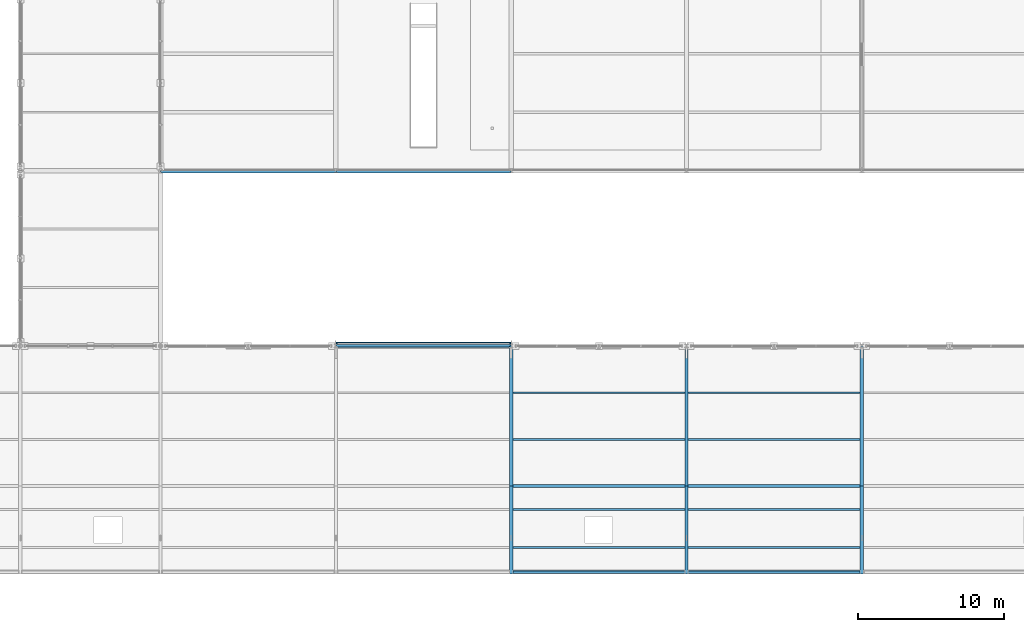
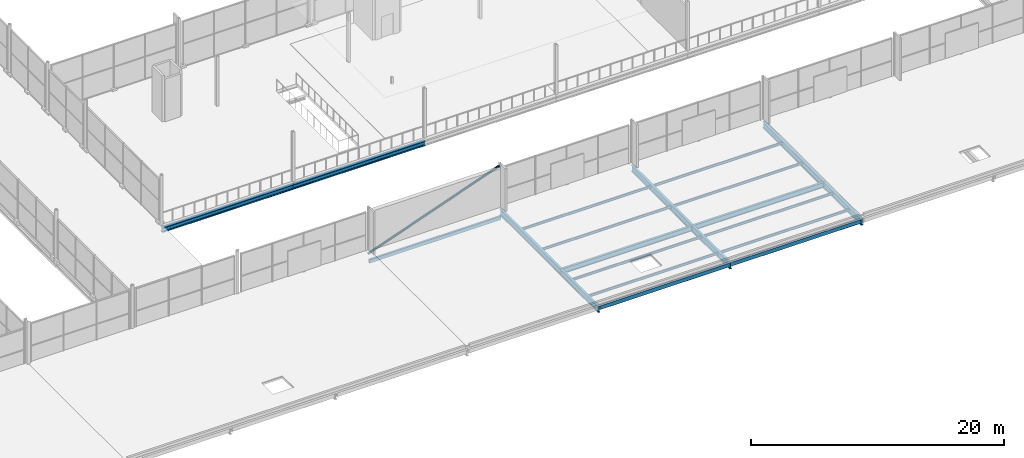
# One storey, part 49 of 159: 21 beams, 1 member.
"""IFC4 building model written with IfcOpenShell, lengths in metres."""

from ifc_helpers import new_model, si_unit, direction, frame, origin, origin_2d, place, context, subcontext, project, spatial, hollow_rectangle, hollow_circle, i_section, extrude, material, material_profile, profile_set, type_object, element, save


model = new_model("IFC4")

# Units and contexts
model_context = context("Model", 3, precision=1e-05, world=origin(), true_north=direction((0.0, 1.0)))
body_context = subcontext(model_context, "Body", "Model", "MODEL_VIEW")
ifc_project = project(units=[si_unit("LENGTHUNIT", "METRE"), si_unit("AREAUNIT", "SQUARE_METRE"), si_unit("VOLUMEUNIT", "CUBIC_METRE"), si_unit("PLANEANGLEUNIT", "RADIAN"), si_unit("MASSUNIT", "GRAM", prefix="KILO")], contexts=[model_context])

# Site, building, storey
site_placement = place(None, origin())
site = spatial("IfcSite", under=ifc_project, at=site_placement, CompositionType="ELEMENT")
building_placement = place(site_placement, origin())
building = spatial("IfcBuilding", under=site, at=building_placement, Name="Merenkruunu Market Hall", CompositionType="ELEMENT")
storey_placement = place(building_placement, frame((0.0, 0.0, 5.39990234375)))
storey = spatial("IfcBuildingStorey", under=building, at=storey_placement, Name="L01", CompositionType="ELEMENT", Elevation=5.39990234375)

# Member
ifc_material_1 = material(Name="Steel S355ML", Category="steel")
ifc_material_profile_1 = material_profile(ifc_material_1, hollow_circle(Radius=0.109619140625, WallThickness=0.010009765625, at=origin_2d()), Name="CHS 219.1x10")
ifc_profile_set_1 = profile_set([ifc_material_profile_1], Name="Steel S355ML")
member_type = type_object("IfcMemberType", Name="Diagonal Sway Brace BR03", PredefinedType="BRACE", material=ifc_profile_set_1)
member_placement = place(storey_placement, frame((88.800048828125, 15.760009765625, 0.150146484375), z_axis=(0.941385198431, 0.0, 0.337333526611), x_axis=(0.0, 1.0, 0.0)))
element("IfcMember", 1, at=member_placement, inside=storey, type_object=member_type, Name="MEM-CBF08", PredefinedType="BRACE", context=body_context, shape_type="SweptSolid", body=[
    extrude(hollow_circle(Radius=0.109619140625, WallThickness=0.010009765625, at=origin_2d()), origin(), (0.0, 0.0, 1.0), 12.7470703125),
])

# Beams
ifc_material_profile_2 = material_profile(ifc_material_1, hollow_rectangle(XDim=0.199951171875, YDim=0.39990234375, WallThickness=0.01611328125, InnerFilletRadius=0.01611328125, OuterFilletRadius=0.031982421875, at=origin_2d()), Name="RHS 400x200x16")
ifc_profile_set_2 = profile_set([ifc_material_profile_2], Name="Steel S355ML")
beam_type_1 = type_object("IfcBeamType", Name="Perimeter Spandrel Beam SP01", PredefinedType="SPANDREL", material=ifc_profile_set_2)
for number, where, z_axis, x_axis, name in (
    (2, (100.9130859375, 0.1201171875, 0.239990234375), (1.0, 0.0, 0.0), (0.0, 1.0, 0.0), "BM-L01-SP01-1155"),
    (3, (112.9130859375, 0.1201171875, 0.239990234375), (1.0, 0.0, 0.0), (0.0, 1.0, 0.0), "BM-L01-SP01-1161"),
):
    element("IfcBeam", number, at=place(storey_placement, frame(where, z_axis=z_axis, x_axis=x_axis)), inside=storey, type_object=beam_type_1, Name=name, PredefinedType="SPANDREL", context=body_context, shape_type="SweptSolid", body=[
        extrude(hollow_rectangle(XDim=0.199951171875, YDim=0.39990234375, WallThickness=0.01611328125, InnerFilletRadius=0.01611328125, OuterFilletRadius=0.031982421875, at=origin_2d()), origin(), (0.0, 0.0, 1.0), 11.77392578125),
    ])
ifc_material_2 = material(Name="Steel S355J2", Category="steel")
ifc_material_profile_3 = material_profile(ifc_material_2, hollow_rectangle(XDim=0.199951171875, YDim=0.35009765625, WallThickness=0.012451171875, InnerFilletRadius=0.012451171875, OuterFilletRadius=0.02490234375, at=origin_2d()), Name="RHS 350x200x12.5")
ifc_profile_set_3 = profile_set([ifc_material_profile_3], Name="Steel S355J2")
beam_type_2 = type_object("IfcBeamType", Name="Perimeter Spandrel Beam SP02", PredefinedType="SPANDREL", material=ifc_profile_set_3)
beam_1_placement = place(storey_placement, frame((88.800048828125, 15.60009765625, -0.454833984375), z_axis=(1.0, 0.0, 0.0), x_axis=(0.0, 1.0, 0.0)))
element("IfcBeam", 4, at=beam_1_placement, inside=storey, type_object=beam_type_2, Name="BM-L01-SP02-1185", PredefinedType="SPANDREL", context=body_context, shape_type="SweptSolid", body=[
    extrude(hollow_rectangle(XDim=0.199951171875, YDim=0.35009765625, WallThickness=0.012451171875, InnerFilletRadius=0.012451171875, OuterFilletRadius=0.02490234375, at=origin_2d()), origin(), (0.0, 0.0, 1.0), 12.0),
])
ifc_material_profile_4 = material_profile(ifc_material_2, i_section(OverallWidth=0.300048828125, OverallDepth=0.449951171875, WebThickness=0.013916015625, FlangeThickness=0.02587890625, FilletRadius=0.027099609375, at=origin_2d()), Name="HEB 450")
ifc_profile_set_4 = profile_set([ifc_material_profile_4], Name="Steel S355J2")
beam_type_3 = type_object("IfcBeamType", Name="Primary Floor Girder B03", PredefinedType="BEAM", material=ifc_profile_set_4)
for number, where, z_axis, x_axis, name in (
    (5, (76.800048828125, 27.60009765625, -0.5048828125), (1.0, 0.0, 0.0), (0.0, 1.0, 0.0), "BM-L01-B03-0484"),
    (6, (88.800048828125, 27.60009765625, -0.5048828125), (1.0, 0.0, 0.0), (0.0, 1.0, 0.0), "BM-L01-B03-0485"),
):
    element("IfcBeam", number, at=place(storey_placement, frame(where, z_axis=z_axis, x_axis=x_axis)), inside=storey, type_object=beam_type_3, Name=name, PredefinedType="BEAM", context=body_context, shape_type="SweptSolid", body=[
        extrude(i_section(OverallWidth=0.300048828125, OverallDepth=0.449951171875, WebThickness=0.013916015625, FlangeThickness=0.02587890625, FilletRadius=0.027099609375, at=origin_2d()), origin(), (0.0, 0.0, 1.0), 12.0),
    ])
ifc_material_profile_5 = material_profile(ifc_material_1, i_section(OverallWidth=0.219970703125, OverallDepth=0.60009765625, WebThickness=0.011962890625, FlangeThickness=0.01904296875, FilletRadius=0.02392578125, at=origin_2d()), Name="IPE 600")
ifc_profile_set_5 = profile_set([ifc_material_profile_5], Name="Steel S355ML")
beam_type_4 = type_object("IfcBeamType", Name="Primary Floor Girder B10", PredefinedType="BEAM", material=ifc_profile_set_5)
beam_2_placement = place(storey_placement, frame((100.800048828125, 15.60009765625, 0.14013671875), z_axis=(0.0, -1.0, 0.0), x_axis=(1.0, 0.0, 0.0)))
element("IfcBeam", 7, at=beam_2_placement, inside=storey, type_object=beam_type_4, Name="BM-L01-B10-1084", PredefinedType="BEAM", context=body_context, shape_type="SweptSolid", body=[
    extrude(i_section(OverallWidth=0.219970703125, OverallDepth=0.60009765625, WebThickness=0.011962890625, FlangeThickness=0.01904296875, FilletRadius=0.02392578125, at=origin_2d()), origin(), (0.0, 0.0, 1.0), 9.60009765625),
])
beam_3_placement = place(storey_placement, frame((100.800048828125, 6.0, 0.14013671875), z_axis=(0.0, -1.0, 0.0), x_axis=(1.0, 0.0, 0.0)))
element("IfcBeam", 8, at=beam_3_placement, inside=storey, type_object=beam_type_4, Name="BM-L01-B10-1085", PredefinedType="BEAM", context=body_context, shape_type="SweptSolid", body=[
    extrude(i_section(OverallWidth=0.219970703125, OverallDepth=0.60009765625, WebThickness=0.011962890625, FlangeThickness=0.01904296875, FilletRadius=0.02392578125, at=origin_2d()), origin(), (0.0, 0.0, 1.0), 6.0),
])
beam_4_placement = place(storey_placement, frame((112.800048828125, 15.60009765625, 0.14013671875), z_axis=(0.0, -1.0, 0.0), x_axis=(1.0, 0.0, 0.0)))
element("IfcBeam", 9, at=beam_4_placement, inside=storey, type_object=beam_type_4, Name="BM-L01-B10-1086", PredefinedType="BEAM", context=body_context, shape_type="SweptSolid", body=[
    extrude(i_section(OverallWidth=0.219970703125, OverallDepth=0.60009765625, WebThickness=0.011962890625, FlangeThickness=0.01904296875, FilletRadius=0.02392578125, at=origin_2d()), origin(), (0.0, 0.0, 1.0), 9.60009765625),
])
beam_5_placement = place(storey_placement, frame((112.800048828125, 6.0, 0.14013671875), z_axis=(0.0, -1.0, 0.0), x_axis=(1.0, 0.0, 0.0)))
element("IfcBeam", 10, at=beam_5_placement, inside=storey, type_object=beam_type_4, Name="BM-L01-B10-1087", PredefinedType="BEAM", context=body_context, shape_type="SweptSolid", body=[
    extrude(i_section(OverallWidth=0.219970703125, OverallDepth=0.60009765625, WebThickness=0.011962890625, FlangeThickness=0.01904296875, FilletRadius=0.02392578125, at=origin_2d()), origin(), (0.0, 0.0, 1.0), 6.0),
])
beam_6_placement = place(storey_placement, frame((124.800048828125, 15.60009765625, 0.14013671875), z_axis=(0.0, -1.0, 0.0), x_axis=(1.0, 0.0, 0.0)))
element("IfcBeam", 11, at=beam_6_placement, inside=storey, type_object=beam_type_4, Name="BM-L01-B10-1088", PredefinedType="BEAM", context=body_context, shape_type="SweptSolid", body=[
    extrude(i_section(OverallWidth=0.219970703125, OverallDepth=0.60009765625, WebThickness=0.011962890625, FlangeThickness=0.01904296875, FilletRadius=0.02392578125, at=origin_2d()), origin(), (0.0, 0.0, 1.0), 9.60009765625),
])
beam_7_placement = place(storey_placement, frame((124.800048828125, 6.0, 0.14013671875), z_axis=(0.0, -1.0, 0.0), x_axis=(1.0, 0.0, 0.0)))
element("IfcBeam", 12, at=beam_7_placement, inside=storey, type_object=beam_type_4, Name="BM-L01-B10-1089", PredefinedType="BEAM", context=body_context, shape_type="SweptSolid", body=[
    extrude(i_section(OverallWidth=0.219970703125, OverallDepth=0.60009765625, WebThickness=0.011962890625, FlangeThickness=0.01904296875, FilletRadius=0.02392578125, at=origin_2d()), origin(), (0.0, 0.0, 1.0), 6.0),
])
ifc_material_profile_6 = material_profile(ifc_material_2, i_section(OverallWidth=0.199951171875, OverallDepth=0.5, WebThickness=0.01025390625, FlangeThickness=0.01611328125, FilletRadius=0.02099609375, at=origin_2d()), Name="IPE 500")
ifc_profile_set_6 = profile_set([ifc_material_profile_6], Name="Steel S355J2")
beam_type_5 = type_object("IfcBeamType", Name="Primary Floor Girder B11", PredefinedType="BEAM", material=ifc_profile_set_6)
for number, where, z_axis, x_axis, name in (
    (13, (100.9130859375, 6.0, 0.190185546875), (1.0, 0.0, 0.0), (0.0, 1.0, 0.0), "BM-L01-B11-1154"),
    (14, (112.9130859375, 6.0, 0.190185546875), (1.0, 0.0, 0.0), (0.0, 1.0, 0.0), "BM-L01-B11-1160"),
):
    element("IfcBeam", number, at=place(storey_placement, frame(where, z_axis=z_axis, x_axis=x_axis)), inside=storey, type_object=beam_type_5, Name=name, PredefinedType="BEAM", context=body_context, shape_type="SweptSolid", body=[
        extrude(i_section(OverallWidth=0.199951171875, OverallDepth=0.5, WebThickness=0.01025390625, FlangeThickness=0.01611328125, FilletRadius=0.02099609375, at=origin_2d()), origin(), (0.0, 0.0, 1.0), 11.77392578125),
    ])
ifc_material_profile_7 = material_profile(ifc_material_2, i_section(OverallWidth=0.1201171875, OverallDepth=0.239990234375, WebThickness=0.006103515625, FlangeThickness=0.009765625, FilletRadius=0.014892578125, at=origin_2d()), Name="IPE 240")
ifc_profile_set_7 = profile_set([ifc_material_profile_7], Name="Steel S355J2")
beam_type_6 = type_object("IfcBeamType", Name="Secondary Floor Joist J05", PredefinedType="JOIST", material=ifc_profile_set_7)
for number, where, z_axis, x_axis, name in (
    (15, (100.9130859375, 1.800048828125, 0.320068359375), (1.0, 0.0, 0.0), (0.0, 1.0, 0.0), "BM-L01-J05-1156"),
    (16, (100.9130859375, 4.39990234375, 0.320068359375), (1.0, 0.0, 0.0), (0.0, 1.0, 0.0), "BM-L01-J05-1157"),
    (17, (100.9130859375, 9.199951171875, 0.320068359375), (1.0, 0.0, 0.0), (0.0, 1.0, 0.0), "BM-L01-J05-1158"),
    (18, (100.9130859375, 12.39990234375, 0.320068359375), (1.0, 0.0, 0.0), (0.0, 1.0, 0.0), "BM-L01-J05-1159"),
    (19, (112.9130859375, 1.800048828125, 0.320068359375), (1.0, 0.0, 0.0), (0.0, 1.0, 0.0), "BM-L01-J05-1162"),
    (20, (112.9130859375, 4.39990234375, 0.320068359375), (1.0, 0.0, 0.0), (0.0, 1.0, 0.0), "BM-L01-J05-1163"),
    (21, (112.9130859375, 9.199951171875, 0.320068359375), (1.0, 0.0, 0.0), (0.0, 1.0, 0.0), "BM-L01-J05-1164"),
    (22, (112.9130859375, 12.39990234375, 0.320068359375), (1.0, 0.0, 0.0), (0.0, 1.0, 0.0), "BM-L01-J05-1165"),
):
    element("IfcBeam", number, at=place(storey_placement, frame(where, z_axis=z_axis, x_axis=x_axis)), inside=storey, type_object=beam_type_6, Name=name, PredefinedType="JOIST", context=body_context, shape_type="SweptSolid", body=[
        extrude(i_section(OverallWidth=0.1201171875, OverallDepth=0.239990234375, WebThickness=0.006103515625, FlangeThickness=0.009765625, FilletRadius=0.014892578125, at=origin_2d()), origin(), (0.0, 0.0, 1.0), 11.77392578125),
    ])

save(model, "model.ifc")
